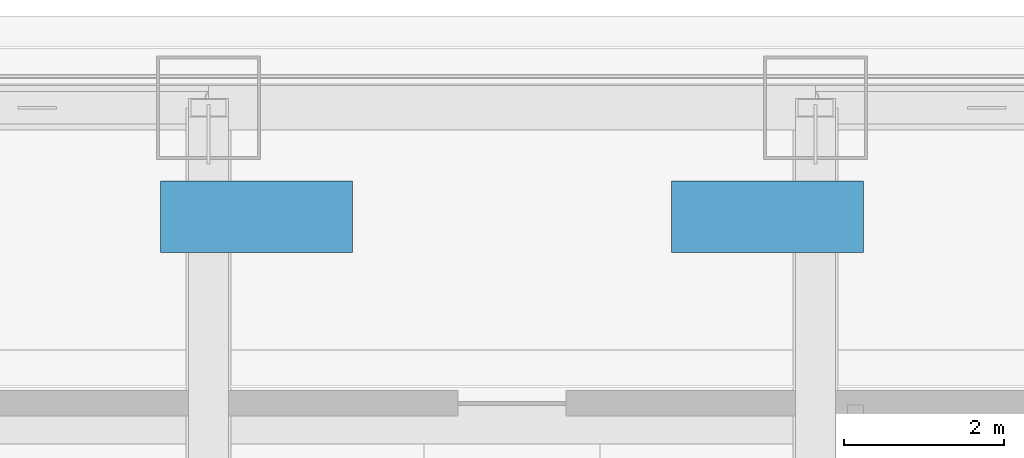
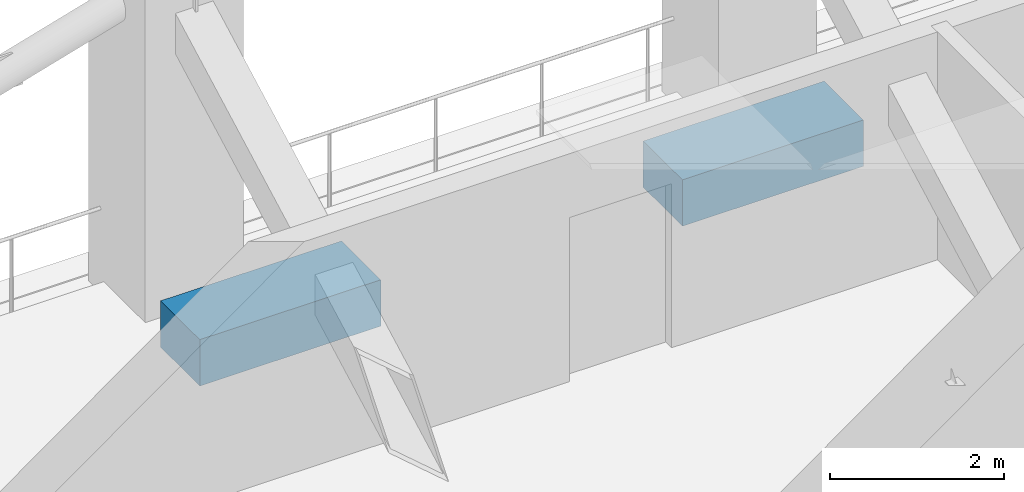
# One storey, part 8 of 11: 2 discrete accessories.
"""IFC4 building model written with IfcOpenShell, lengths in metres."""

from ifc_helpers import new_model, si_unit, direction, frame, origin, origin_2d, place, context, subcontext, project, spatial, rectangle, extrude, material, type_object, element, save


model = new_model("IFC4")

# Units and contexts
model_context = context("Model", 3, precision=1e-05, world=origin(), true_north=direction((0.0, 1.0)))
body_context = subcontext(model_context, "Body", "Model", "MODEL_VIEW")
ifc_project = project(units=[si_unit("LENGTHUNIT", "METRE"), si_unit("AREAUNIT", "SQUARE_METRE"), si_unit("VOLUMEUNIT", "CUBIC_METRE"), si_unit("PLANEANGLEUNIT", "RADIAN"), si_unit("MASSUNIT", "GRAM", prefix="KILO")], contexts=[model_context])

# Site, building, storey
site_placement = place(None, origin())
site = spatial("IfcSite", under=ifc_project, at=site_placement, CompositionType="ELEMENT")
building_placement = place(site_placement, origin())
building = spatial("IfcBuilding", under=site, at=building_placement, Name="Punatoya Terracotta Tower", CompositionType="ELEMENT")
storey_placement = place(building_placement, frame((0.0, 0.0, 237.0)))
storey = spatial("IfcBuildingStorey", under=building, at=storey_placement, Name="L56", CompositionType="ELEMENT", Elevation=237.0)

# Discrete accessories
ifc_material = material(Name="Architectural Terracotta Planter + Green Soil", Category="masonry")
discrete_accessory_type = type_object("IfcDiscreteAccessoryType", Name="ACC-PLANTER", PredefinedType="USERDEFINED", material=ifc_material)
for number, where, z_axis, x_axis, name in (
    (1, (-3.199951171875, 16.135009765625, 0.0), (0.0, 0.0, 1.0), (1.0, 0.0, 0.0), "L56 Planted Terracotta Sky-Garden Planter 1"),
    (2, (3.199951171875, 16.135009765625, 0.0), (0.0, 0.0, 1.0), (1.0, 0.0, 0.0), "L56 Planted Terracotta Sky-Garden Planter 2"),
):
    element("IfcDiscreteAccessory", number, at=place(storey_placement, frame(where, z_axis=z_axis, x_axis=x_axis)), inside=storey, type_object=discrete_accessory_type, Name=name, ObjectType="PLANTER", PredefinedType="USERDEFINED", context=body_context, shape_type="SweptSolid", body=[
        extrude(rectangle(XDim=2.39990234375, YDim=0.89990234375, at=origin_2d()), origin(), (0.0, 0.0, 1.0), 0.64990234375),
    ])

save(model, "model.ifc")
